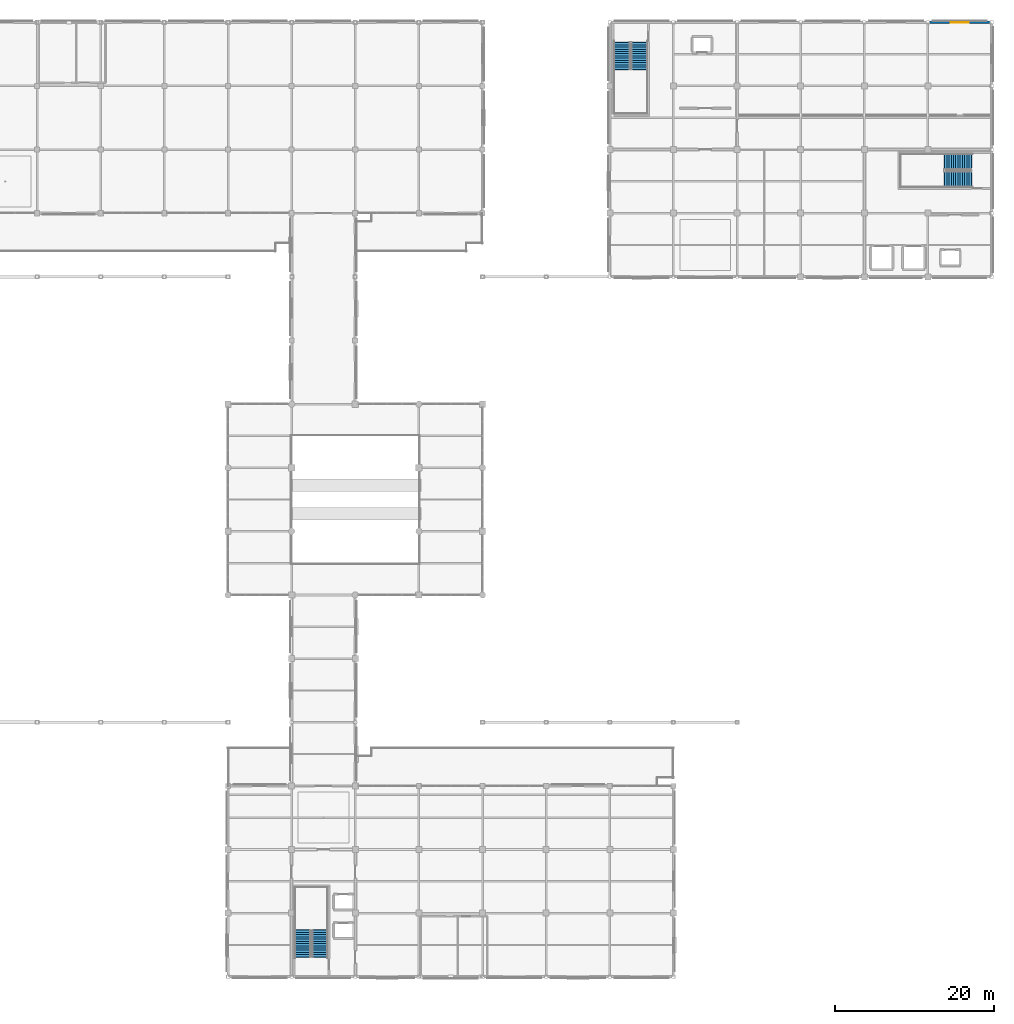
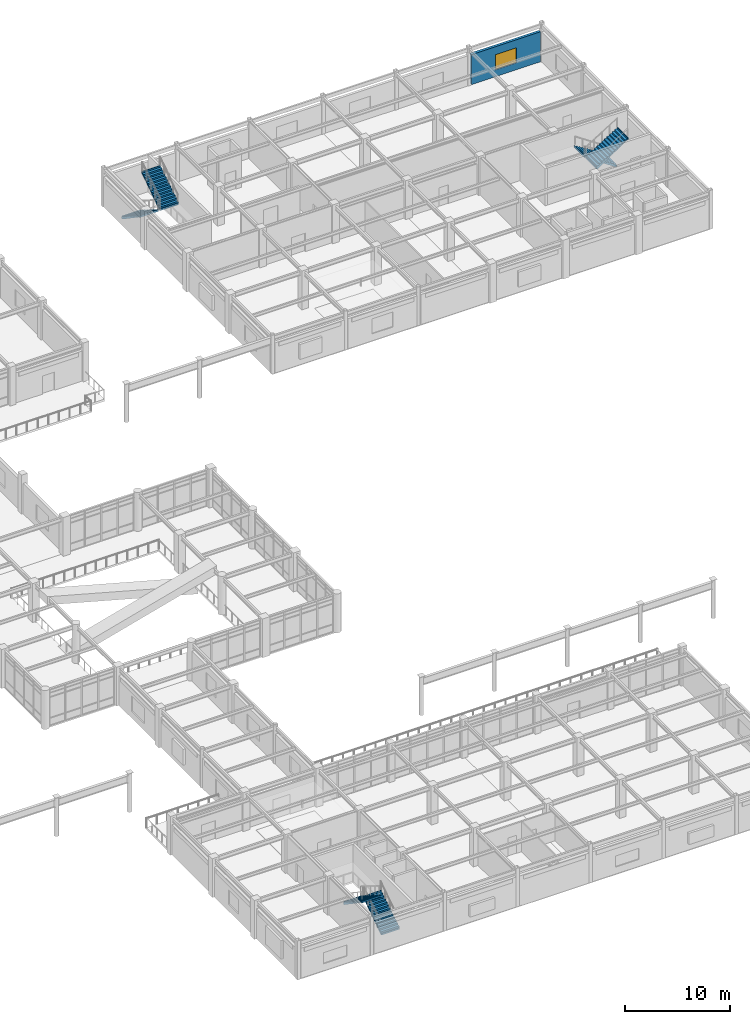
# One storey, part 65 of 78: 6 stair flights, 1 wall, 1 window, 1 opening, 3 elements without a shape of their own.
"""IFC4 building model written with IfcOpenShell, lengths in metres."""

from ifc_helpers import new_model, si_unit, direction, frame, frame_2d, origin, place, context, subcontext, project, spatial, polyline, rectangle, outline, extrude, material, layer, layer_set, type_object, element, fill, aggregate, save


model = new_model("IFC4")

# Units and contexts
model_context = context("Model", 3, precision=1e-05, world=origin(), true_north=direction((0.0, 1.0)))
body_context = subcontext(model_context, "Body", "Model", "MODEL_VIEW")
ifc_project = project(units=[si_unit("LENGTHUNIT", "METRE"), si_unit("AREAUNIT", "SQUARE_METRE"), si_unit("VOLUMEUNIT", "CUBIC_METRE"), si_unit("PLANEANGLEUNIT", "RADIAN"), si_unit("MASSUNIT", "GRAM", prefix="KILO")], contexts=[model_context])

# Site, building, storey
site_placement = place(None, origin())
site = spatial("IfcSite", under=ifc_project, at=site_placement, CompositionType="ELEMENT")
building_placement = place(site_placement, origin())
building = spatial("IfcBuilding", under=site, at=building_placement, Name="Solmirada Galleria", CompositionType="ELEMENT")
storey_placement = place(building_placement, frame((0.0, 0.0, 23.89990234375)))
storey = spatial("IfcBuildingStorey", under=building, at=storey_placement, Name="L05", CompositionType="ELEMENT", Elevation=23.89990234375)

# Wall, opening, window
ifc_material_1 = material(Name="Precast concrete C40/50", Category="concrete")
ifc_layer = layer(ifc_material_1, 0.2900390625)
ifc_layer_set = layer_set([ifc_layer], Name="Precast concrete C40/50")
wall_type = type_object("IfcWallType", Name="WL-EXT-290", PredefinedType="STANDARD", material=ifc_layer_set)
wall_placement = place(storey_placement, frame((168.202880859375, 120.0, 0.0), z_axis=(0.0, 0.0, 1.0), x_axis=(1.0, 0.0, 0.0)))
wall = element("IfcWall", 1, at=wall_placement, inside=storey, type_object=wall_type, Name="Exterior wall L05 bay 069", PredefinedType="STANDARD", context=body_context, shape_type="SweptSolid", body=[
    extrude(rectangle(XDim=7.59423828125, YDim=0.2900390625, at=frame_2d((3.797119140625, 0.0))), origin(), (0.0, 0.0, 1.0), 3.47998046875),
])
opening_placement = place(wall_placement, frame((2.64697265625, 0.0, 0.800048828125)))
opening = element("IfcOpeningElement", 2, at=opening_placement, cuts=wall, Name="Opening WN28", PredefinedType="OPENING", context=body_context, shape_type="SweptSolid", body=[
    extrude(rectangle(XDim=2.300048828125, YDim=1.75, at=frame_2d((1.14990234375, 0.875))), frame((0.0, 0.155029296875, 0.0), z_axis=(0.0, -1.0, 0.0), x_axis=(1.0, 0.0, 0.0)), (0.0, 0.0, 1.0), 0.31005859375),
])
ifc_material_2 = material(Name="Impact-resistant low-E double glazing", Category="glass")
window_type = type_object("IfcWindowType", Name="WIN-MOD-230X175", PartitioningType="DOUBLE_PANEL_VERTICAL", PredefinedType="WINDOW", material=ifc_material_2)
window_placement = place(opening_placement, origin())
window = element("IfcWindow", 3, at=window_placement, inside=storey, type_object=window_type, Name="Window L05-180", OverallHeight=1.75, OverallWidth=2.300048828125, PartitioningType="DOUBLE_PANEL_VERTICAL", PredefinedType="WINDOW", context=body_context, shape_type="SweptSolid", body=[
    extrude(rectangle(XDim=2.300048828125, YDim=1.75, at=frame_2d((1.14990234375, 0.875))), frame((0.0, 0.030029296875, 0.0), z_axis=(0.0, -1.0, 0.0), x_axis=(1.0, 0.0, 0.0)), (0.0, 0.0, 1.0), 0.06005859375),
])
fill(opening, window)

# Stair, stair flights
ifc_material_3 = material(Name="Concrete C35/45", Category="concrete")
stair_type_1 = type_object("IfcStairType", Name="STR-DOG-200-H45", PredefinedType="HALF_TURN_STAIR", material=ifc_material_3)
stair_1_placement = place(storey_placement, origin())
stair_1 = element("IfcStair", 4, at=stair_1_placement, inside=storey, type_object=stair_type_1, Name="L05 South Sales Core Exit Stair ST2", PredefinedType="HALF_TURN_STAIR")
stair_flight_type_1 = type_object("IfcStairFlightType", Name="SFL-DOG-200-H45", PredefinedType="STRAIGHT", material=ifc_material_3)
stair_flight_1_placement = place(storey_placement, frame((91.550048828125, 2.5, 0.0), z_axis=(0.0, 0.0, 1.0), x_axis=(0.0, 1.0, 0.0)))
stair_flight_1 = element("IfcStairFlight", 5, at=stair_flight_1_placement, type_object=stair_flight_type_1, Name="ST2 flight 1", NumberOfRisers=13, NumberOfTreads=12, PredefinedType="STRAIGHT", RiserHeight=0.173076923, TreadLength=0.28, context=body_context, shape_type="SweptSolid", body=[
    extrude(outline(polyline([(-0.080078125, 0.0), (0.0, 0.0), (0.0, 0.173095703125), (0.280029296875, 0.173095703125), (0.280029296875, 0.34619140625), (0.56005859375, 0.34619140625), (0.56005859375, 0.519287109375), (0.840087890625, 0.519287109375), (0.840087890625, 0.6923828125), (1.1201171875, 0.6923828125), (1.1201171875, 0.865478515625), (1.39990234375, 0.865478515625), (1.39990234375, 1.03857421875), (1.679931640625, 1.03857421875), (1.679931640625, 1.21142578125), (1.9599609375, 1.21142578125), (1.9599609375, 1.384521484375), (2.239990234375, 1.384521484375), (2.239990234375, 1.5576171875), (2.52001953125, 1.5576171875), (2.52001953125, 1.730712890625), (2.800048828125, 1.730712890625), (2.800048828125, 1.90380859375), (3.080078125, 1.90380859375), (3.080078125, 2.076904296875), (3.360107421875, 2.076904296875), (3.360107421875, 2.25), (3.43994140625, 2.25), (3.43994140625, 2.050048828125), (3.360107421875, 2.050048828125), (0.080078125, -0.179931640625), (-0.080078125, -0.179931640625), (-0.080078125, 0.0)])), frame((0.0, 1.0, 0.0), z_axis=(0.0, -1.0, 0.0), x_axis=(1.0, 0.0, 0.0)), (0.0, 0.0, 1.0), 2.0),
])
stair_flight_2_placement = place(storey_placement, frame((89.39990234375, 5.860107421875, 2.25), z_axis=(0.0, 0.0, 1.0), x_axis=(0.0, -1.0, 0.0)))
stair_flight_2 = element("IfcStairFlight", 6, at=stair_flight_2_placement, type_object=stair_flight_type_1, Name="ST2 flight 2", NumberOfRisers=13, NumberOfTreads=12, PredefinedType="STRAIGHT", RiserHeight=0.173076923, TreadLength=0.28, context=body_context, shape_type="SweptSolid", body=[
    extrude(outline(polyline([(-0.080078125, 0.0), (0.0, 0.0), (0.0, 0.173095703125), (0.280029296875, 0.173095703125), (0.280029296875, 0.34619140625), (0.56005859375, 0.34619140625), (0.56005859375, 0.519287109375), (0.840087890625, 0.519287109375), (0.840087890625, 0.6923828125), (1.1201171875, 0.6923828125), (1.1201171875, 0.865478515625), (1.39990234375, 0.865478515625), (1.39990234375, 1.03857421875), (1.679931640625, 1.03857421875), (1.679931640625, 1.21142578125), (1.9599609375, 1.21142578125), (1.9599609375, 1.384521484375), (2.239990234375, 1.384521484375), (2.239990234375, 1.5576171875), (2.52001953125, 1.5576171875), (2.52001953125, 1.730712890625), (2.800048828125, 1.730712890625), (2.800048828125, 1.90380859375), (3.080078125, 1.90380859375), (3.080078125, 2.076904296875), (3.360107421875, 2.076904296875), (3.360107421875, 2.25), (3.43994140625, 2.25), (3.43994140625, 2.050048828125), (3.360107421875, 2.050048828125), (0.080078125, -0.179931640625), (-0.080078125, -0.179931640625), (-0.080078125, 0.0)])), frame((0.0, 1.0, 0.0), z_axis=(0.0, -1.0, 0.0), x_axis=(1.0, 0.0, 0.0)), (0.0, 0.0, 1.0), 2.0),
])
aggregate(stair_1, [stair_flight_1, stair_flight_2])

stair_type_2 = type_object("IfcStairType", Name="STR-DOG-205-H45", PredefinedType="HALF_TURN_STAIR", material=ifc_material_3)
stair_2_placement = place(storey_placement, origin())
stair_2 = element("IfcStair", 7, at=stair_2_placement, inside=storey, type_object=stair_type_2, Name="L05 North Avenue High-Rise Core Exit Stair ST3", PredefinedType="HALF_TURN_STAIR")
stair_flight_type_2 = type_object("IfcStairFlightType", Name="SFL-DOG-205-H45", PredefinedType="STRAIGHT", material=ifc_material_3)
stair_flight_3_placement = place(storey_placement, frame((129.52490234375, 117.449951171875, 0.0), z_axis=(0.0, 0.0, 1.0), x_axis=(0.0, -1.0, 0.0)))
stair_flight_3 = element("IfcStairFlight", 8, at=stair_flight_3_placement, type_object=stair_flight_type_2, Name="ST3 flight 1", NumberOfRisers=13, NumberOfTreads=12, PredefinedType="STRAIGHT", RiserHeight=0.173076923, TreadLength=0.28, context=body_context, shape_type="SweptSolid", body=[
    extrude(outline(polyline([(-0.080078125, 0.0), (0.0, 0.0), (0.0, 0.173095703125), (0.280029296875, 0.173095703125), (0.280029296875, 0.34619140625), (0.56005859375, 0.34619140625), (0.56005859375, 0.519287109375), (0.840087890625, 0.519287109375), (0.840087890625, 0.6923828125), (1.1201171875, 0.6923828125), (1.1201171875, 0.865478515625), (1.39990234375, 0.865478515625), (1.39990234375, 1.03857421875), (1.679931640625, 1.03857421875), (1.679931640625, 1.21142578125), (1.9599609375, 1.21142578125), (1.9599609375, 1.384521484375), (2.239990234375, 1.384521484375), (2.239990234375, 1.5576171875), (2.52001953125, 1.5576171875), (2.52001953125, 1.730712890625), (2.800048828125, 1.730712890625), (2.800048828125, 1.90380859375), (3.080078125, 1.90380859375), (3.080078125, 2.076904296875), (3.360107421875, 2.076904296875), (3.360107421875, 2.25), (3.43994140625, 2.25), (3.43994140625, 2.050048828125), (3.360107421875, 2.050048828125), (0.080078125, -0.179931640625), (-0.080078125, -0.179931640625), (-0.080078125, 0.0)])), frame((0.0, 1.02490234375, 0.0), z_axis=(0.0, -1.0, 0.0), x_axis=(1.0, 0.0, 0.0)), (0.0, 0.0, 1.0), 2.050048828125),
])
stair_flight_4_placement = place(storey_placement, frame((131.72509765625, 114.090087890625, 2.25), z_axis=(0.0, 0.0, 1.0), x_axis=(0.0, 1.0, 0.0)))
stair_flight_4 = element("IfcStairFlight", 9, at=stair_flight_4_placement, type_object=stair_flight_type_2, Name="ST3 flight 2", NumberOfRisers=13, NumberOfTreads=12, PredefinedType="STRAIGHT", RiserHeight=0.173076923, TreadLength=0.28, context=body_context, shape_type="SweptSolid", body=[
    extrude(outline(polyline([(-0.080078125, 0.0), (0.0, 0.0), (0.0, 0.173095703125), (0.280029296875, 0.173095703125), (0.280029296875, 0.34619140625), (0.56005859375, 0.34619140625), (0.56005859375, 0.519287109375), (0.840087890625, 0.519287109375), (0.840087890625, 0.6923828125), (1.1201171875, 0.6923828125), (1.1201171875, 0.865478515625), (1.39990234375, 0.865478515625), (1.39990234375, 1.03857421875), (1.679931640625, 1.03857421875), (1.679931640625, 1.21142578125), (1.9599609375, 1.21142578125), (1.9599609375, 1.384521484375), (2.239990234375, 1.384521484375), (2.239990234375, 1.5576171875), (2.52001953125, 1.5576171875), (2.52001953125, 1.730712890625), (2.800048828125, 1.730712890625), (2.800048828125, 1.90380859375), (3.080078125, 1.90380859375), (3.080078125, 2.076904296875), (3.360107421875, 2.076904296875), (3.360107421875, 2.25), (3.43994140625, 2.25), (3.43994140625, 2.050048828125), (3.360107421875, 2.050048828125), (0.080078125, -0.179931640625), (-0.080078125, -0.179931640625), (-0.080078125, 0.0)])), frame((0.0, 1.02490234375, 0.0), z_axis=(0.0, -1.0, 0.0), x_axis=(1.0, 0.0, 0.0)), (0.0, 0.0, 1.0), 2.050048828125),
])
aggregate(stair_2, [stair_flight_3, stair_flight_4])

stair_3_placement = place(storey_placement, origin())
stair_3 = element("IfcStair", 10, at=stair_3_placement, inside=storey, type_object=stair_type_2, Name="L05 East Avenue High-Rise and Freight Core Exit Stair ST4", PredefinedType="HALF_TURN_STAIR")
stair_flight_5_placement = place(storey_placement, frame((173.449951171875, 102.47509765625, 0.0), z_axis=(0.0, 0.0, 1.0), x_axis=(-1.0, 0.0, 0.0)))
stair_flight_5 = element("IfcStairFlight", 11, at=stair_flight_5_placement, type_object=stair_flight_type_2, Name="ST4 flight 1", NumberOfRisers=13, NumberOfTreads=12, PredefinedType="STRAIGHT", RiserHeight=0.173076923, TreadLength=0.28, context=body_context, shape_type="SweptSolid", body=[
    extrude(outline(polyline([(-0.080078125, 0.0), (0.0, 0.0), (0.0, 0.173095703125), (0.280029296875, 0.173095703125), (0.280029296875, 0.34619140625), (0.56005859375, 0.34619140625), (0.56005859375, 0.519287109375), (0.840087890625, 0.519287109375), (0.840087890625, 0.6923828125), (1.1201171875, 0.6923828125), (1.1201171875, 0.865478515625), (1.39990234375, 0.865478515625), (1.39990234375, 1.03857421875), (1.679931640625, 1.03857421875), (1.679931640625, 1.21142578125), (1.9599609375, 1.21142578125), (1.9599609375, 1.384521484375), (2.239990234375, 1.384521484375), (2.239990234375, 1.5576171875), (2.52001953125, 1.5576171875), (2.52001953125, 1.730712890625), (2.800048828125, 1.730712890625), (2.800048828125, 1.90380859375), (3.080078125, 1.90380859375), (3.080078125, 2.076904296875), (3.360107421875, 2.076904296875), (3.360107421875, 2.25), (3.43994140625, 2.25), (3.43994140625, 2.050048828125), (3.360107421875, 2.050048828125), (0.080078125, -0.179931640625), (-0.080078125, -0.179931640625), (-0.080078125, 0.0)])), frame((0.0, 1.02490234375, 0.0), z_axis=(0.0, -1.0, 0.0), x_axis=(1.0, 0.0, 0.0)), (0.0, 0.0, 1.0), 2.050048828125),
])
stair_flight_6_placement = place(storey_placement, frame((170.090087890625, 100.27490234375, 2.25), z_axis=(0.0, 0.0, 1.0), x_axis=(1.0, 0.0, 0.0)))
stair_flight_6 = element("IfcStairFlight", 12, at=stair_flight_6_placement, type_object=stair_flight_type_2, Name="ST4 flight 2", NumberOfRisers=13, NumberOfTreads=12, PredefinedType="STRAIGHT", RiserHeight=0.173076923, TreadLength=0.28, context=body_context, shape_type="SweptSolid", body=[
    extrude(outline(polyline([(-0.080078125, 0.0), (0.0, 0.0), (0.0, 0.173095703125), (0.280029296875, 0.173095703125), (0.280029296875, 0.34619140625), (0.56005859375, 0.34619140625), (0.56005859375, 0.519287109375), (0.840087890625, 0.519287109375), (0.840087890625, 0.6923828125), (1.1201171875, 0.6923828125), (1.1201171875, 0.865478515625), (1.39990234375, 0.865478515625), (1.39990234375, 1.03857421875), (1.679931640625, 1.03857421875), (1.679931640625, 1.21142578125), (1.9599609375, 1.21142578125), (1.9599609375, 1.384521484375), (2.239990234375, 1.384521484375), (2.239990234375, 1.5576171875), (2.52001953125, 1.5576171875), (2.52001953125, 1.730712890625), (2.800048828125, 1.730712890625), (2.800048828125, 1.90380859375), (3.080078125, 1.90380859375), (3.080078125, 2.076904296875), (3.360107421875, 2.076904296875), (3.360107421875, 2.25), (3.43994140625, 2.25), (3.43994140625, 2.050048828125), (3.360107421875, 2.050048828125), (0.080078125, -0.179931640625), (-0.080078125, -0.179931640625), (-0.080078125, 0.0)])), frame((0.0, 1.02490234375, 0.0), z_axis=(0.0, -1.0, 0.0), x_axis=(1.0, 0.0, 0.0)), (0.0, 0.0, 1.0), 2.050048828125),
])
aggregate(stair_3, [stair_flight_5, stair_flight_6])

save(model, "model.ifc")
